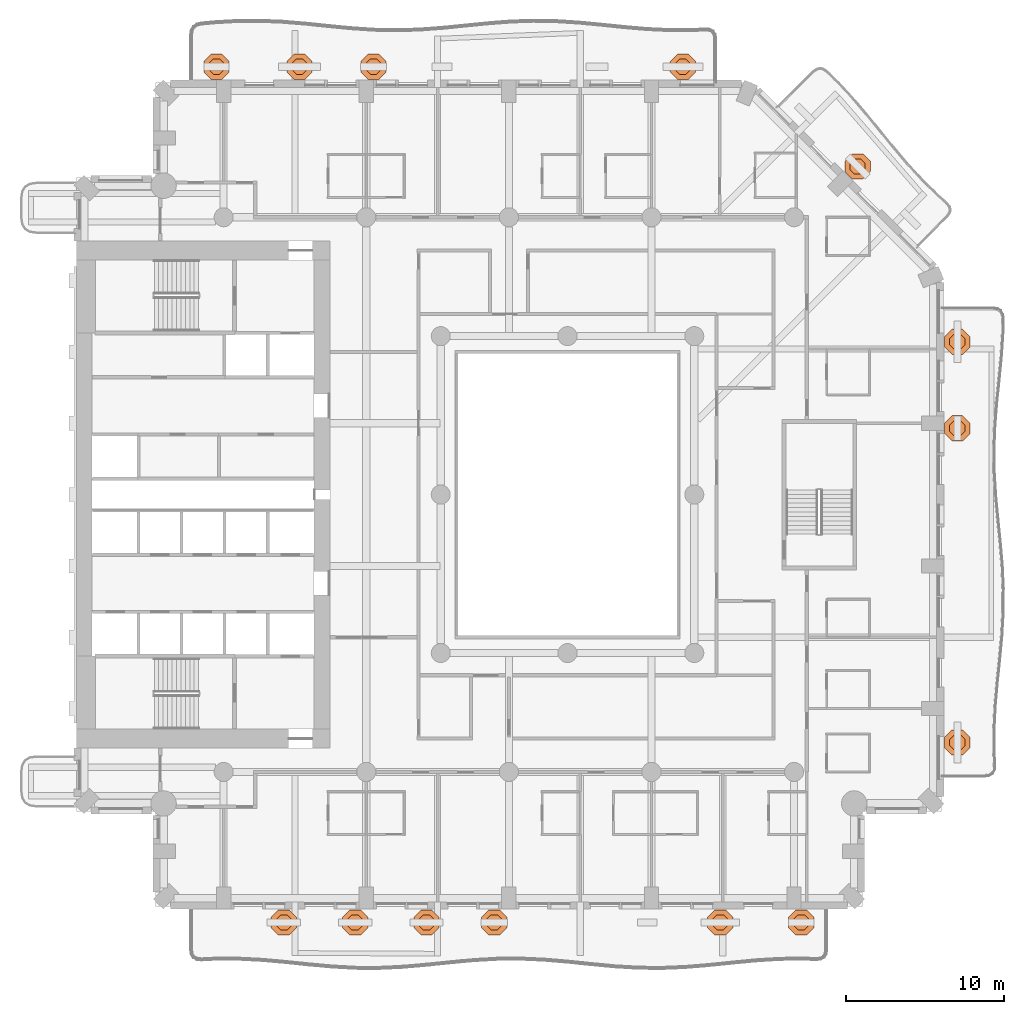
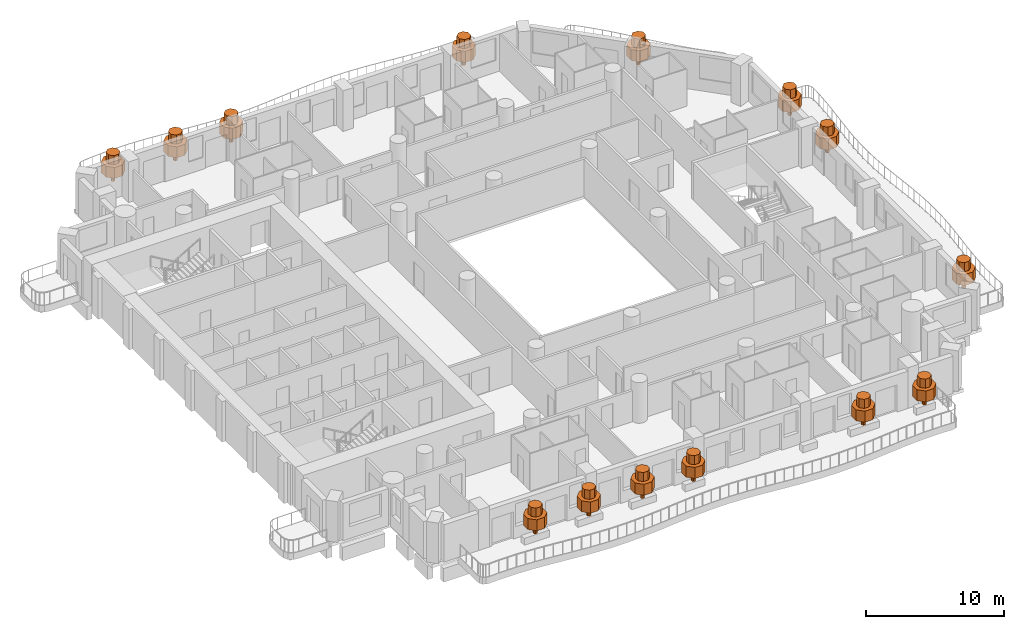
# One storey, part 20 of 20: 14 geographic elements.
"""IFC4 building model written with IfcOpenShell, lengths in metres."""

from ifc_helpers import new_model, si_unit, direction, frame, origin, place, context, subcontext, project, spatial, polyline, outline, extrude, material, type_object, element, save


model = new_model("IFC4")

# Units and contexts
model_context = context("Model", 3, precision=1e-05, world=origin(), true_north=direction((0.0, 1.0)))
body_context = subcontext(model_context, "Body", "Model", "MODEL_VIEW")
ifc_project = project(units=[si_unit("LENGTHUNIT", "METRE"), si_unit("AREAUNIT", "SQUARE_METRE"), si_unit("VOLUMEUNIT", "CUBIC_METRE"), si_unit("PLANEANGLEUNIT", "RADIAN"), si_unit("MASSUNIT", "GRAM", prefix="KILO")], contexts=[model_context])

# Site, building, storey
site_placement = place(None, origin())
site = spatial("IfcSite", under=ifc_project, at=site_placement, CompositionType="ELEMENT")
building_placement = place(site_placement, origin())
building = spatial("IfcBuilding", under=site, at=building_placement, Name="Cypress Arch Tower", CompositionType="ELEMENT")
storey_placement = place(building_placement, frame((0.0, 0.0, 62.699951171875)))
storey = spatial("IfcBuildingStorey", under=building, at=storey_placement, Name="L09", CompositionType="ELEMENT", Elevation=62.699951171875)

# Geographic elements
ifc_material = material(Name="Foliage and planting")
geographic_element_type = type_object("IfcGeographicElementType", Name="Balcony tree TR", PredefinedType="USERDEFINED", material=ifc_material)
for number, where, z_axis, x_axis, name in (
    (1, (-16.89990234375, -27.0, 0.60009765625), (0.0, 0.0, 1.0), (1.0, 0.0, 0.0), "Balcony tree L09-A03.1"),
    (2, (-12.39990234375, -27.0, 0.60009765625), (0.0, 0.0, 1.0), (1.0, 0.0, 0.0), "Balcony tree L09-A03.2"),
    (3, (-7.89990234375, -27.0, 0.60009765625), (0.0, 0.0, 1.0), (1.0, 0.0, 0.0), "Balcony tree L09-A03.3"),
    (4, (-3.625, -27.0, 0.60009765625), (0.0, 0.0, 1.0), (1.0, 0.0, 0.0), "Balcony tree L09-A03.4"),
    (5, (10.639892578125, -27.0, 0.60009765625), (0.0, 0.0, 1.0), (1.0, 0.0, 0.0), "Balcony tree L09-A03.6"),
    (6, (15.75, -27.0, 0.60009765625), (0.0, 0.0, 1.0), (1.0, 0.0, 0.0), "Balcony tree L09-A03.7"),
    (7, (25.60009765625, -15.642822265625, 0.60009765625), (0.0, 0.0, 1.0), (1.0, 0.0, 0.0), "Balcony tree L09-A06.1"),
    (8, (25.60009765625, 4.1826171875, 0.60009765625), (0.0, 0.0, 1.0), (1.0, 0.0, 0.0), "Balcony tree L09-A06.2"),
    (9, (25.60009765625, 9.642822265625, 0.60009765625), (0.0, 0.0, 1.0), (1.0, 0.0, 0.0), "Balcony tree L09-A06.3"),
    (10, (19.30712890625, 20.70703125, 0.60009765625), (0.0, 0.0, 1.0), (1.0, 0.0, 0.0), "Balcony tree L09-A07.2"),
    (11, (8.28125, 27.0, 0.60009765625), (0.0, 0.0, 1.0), (1.0, 0.0, 0.0), "Balcony tree L09-A08.1"),
    (12, (-11.24365234375, 27.0, 0.60009765625), (0.0, 0.0, 1.0), (1.0, 0.0, 0.0), "Balcony tree L09-A08.4"),
    (13, (-15.91259765625, 27.0, 0.60009765625), (0.0, 0.0, 1.0), (1.0, 0.0, 0.0), "Balcony tree L09-A08.5"),
    (14, (-21.14990234375, 27.0, 0.60009765625), (0.0, 0.0, 1.0), (1.0, 0.0, 0.0), "Balcony tree L09-A08.6"),
):
    element("IfcGeographicElement", number, at=place(storey_placement, frame(where, z_axis=z_axis, x_axis=x_axis)), inside=storey, type_object=geographic_element_type, Name=name, ObjectType="TREE", PredefinedType="USERDEFINED", context=body_context, shape_type="SweptSolid", body=[
        extrude(outline(polyline([(0.14990234375, 0.06201171875), (0.06201171875, 0.14990234375), (-0.06201171875, 0.14990234375), (-0.14990234375, 0.06201171875), (-0.14990234375, -0.06201171875), (-0.06201171875, -0.14990234375), (0.06201171875, -0.14990234375), (0.14990234375, -0.06201171875), (0.14990234375, 0.06201171875)])), origin(), (0.0, 0.0, 1.0), 0.864990234375),
        extrude(outline(polyline([(0.800048828125, 0.331298828125), (0.331298828125, 0.800048828125), (-0.331298828125, 0.800048828125), (-0.800048828125, 0.331298828125), (-0.800048828125, -0.331298828125), (-0.331298828125, -0.800048828125), (0.331298828125, -0.800048828125), (0.800048828125, -0.331298828125), (0.800048828125, 0.331298828125)])), frame((0.0, 0.0, 0.764892578125)), (0.0, 0.0, 1.0), 0.981689453125),
        extrude(outline(polyline([(0.47998046875, 0.19873046875), (0.19873046875, 0.47998046875), (-0.19873046875, 0.47998046875), (-0.47998046875, 0.19873046875), (-0.47998046875, -0.19873046875), (-0.19873046875, -0.47998046875), (0.19873046875, -0.47998046875), (0.47998046875, -0.19873046875), (0.47998046875, 0.19873046875)])), frame((0.0, 0.0, 1.746826171875)), (0.0, 0.0, 1.0), 0.80322265625),
    ])

save(model, "model.ifc")
